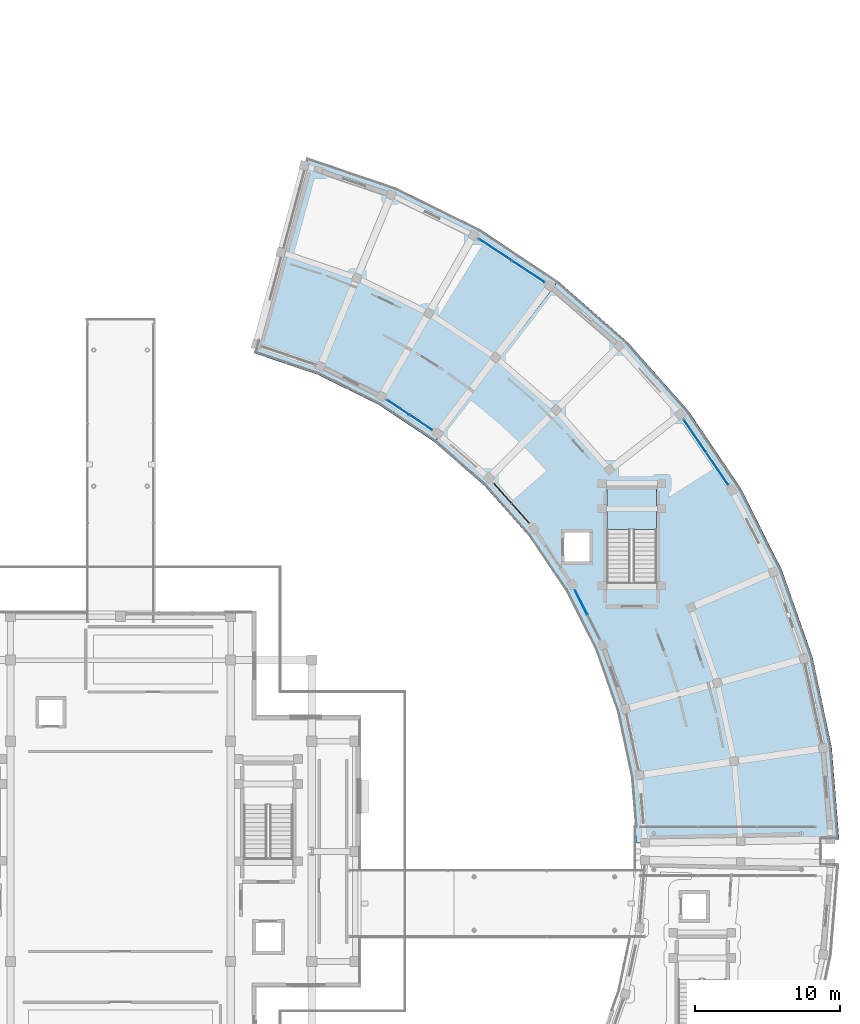
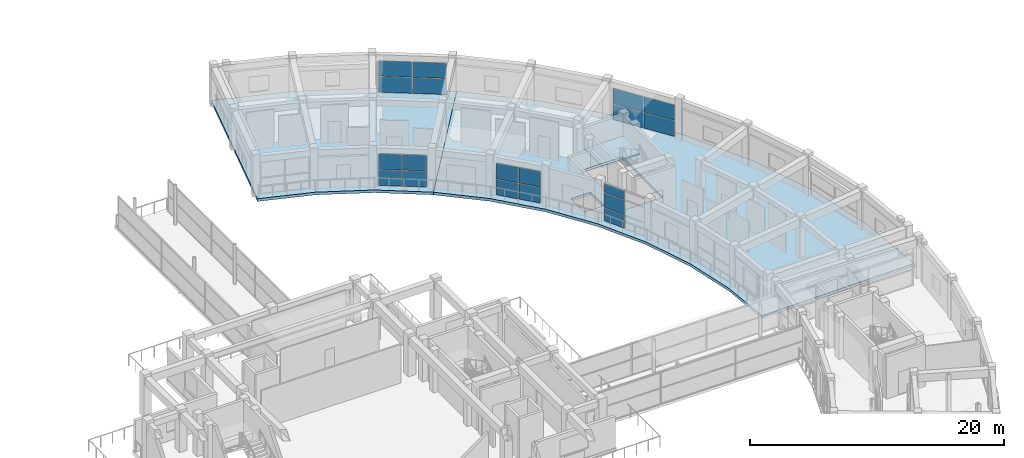
# One storey, part 31 of 53: 19 plates, 3 slabs, 6 elements without a shape of their own.
"""IFC4 building model written with IfcOpenShell, lengths in metres."""

from ifc_helpers import new_model, si_unit, direction, frame, origin, origin_2d, place, context, subcontext, project, spatial, polyline, rectangle, outline, extrude, material, layer, layer_set, type_object, element, aggregate, save


model = new_model("IFC4")

# Units and contexts
model_context = context("Model", 3, precision=1e-05, world=origin(), true_north=direction((0.0, 1.0)))
body_context = subcontext(model_context, "Body", "Model", "MODEL_VIEW")
ifc_project = project(units=[si_unit("LENGTHUNIT", "METRE"), si_unit("AREAUNIT", "SQUARE_METRE"), si_unit("VOLUMEUNIT", "CUBIC_METRE"), si_unit("PLANEANGLEUNIT", "RADIAN"), si_unit("MASSUNIT", "GRAM", prefix="KILO")], contexts=[model_context])

# Site, building, storey
site_placement = place(None, origin())
site = spatial("IfcSite", under=ifc_project, at=site_placement, CompositionType="ELEMENT")
building_placement = place(site_placement, origin())
building = spatial("IfcBuilding", under=site, at=building_placement, Name="Saryqyr Civic Hall", CompositionType="ELEMENT")
storey_placement = place(building_placement, frame((0.0, 0.0, 21.300048828125)))
storey = spatial("IfcBuildingStorey", under=building, at=storey_placement, Name="L05", CompositionType="ELEMENT", Elevation=21.300048828125)

# Curtain wall, plates
ifc_material_1 = material(Name="Anodised aluminium and triple low-E glass", Category="aluminium")
curtain_wall_type_1 = type_object("IfcCurtainWallType", Name="ENV-CW-STD-48", PredefinedType="NOTDEFINED", material=ifc_material_1)
curtain_wall_1_placement = place(storey_placement, origin())
curtain_wall_1 = element("IfcCurtainWall", 1, at=curtain_wall_1_placement, inside=storey, type_object=curtain_wall_type_1, Name="Curtain wall V6-CWI-L05-03", PredefinedType="NOTDEFINED")
ifc_material_2 = material(Name="Triple low-E insulated glazing", Category="glass")
ifc_layer_1 = layer(ifc_material_2, 0.053955078125, Name="Triple low-E insulated glazing")
ifc_layer_set_1 = layer_set([ifc_layer_1], Name="Triple low-E insulated glazing")
plate_type = type_object("IfcPlateType", Name="ENV-CW-PNL-38", PredefinedType="CURTAIN_PANEL", material=ifc_layer_set_1)
plate_1_placement = place(storey_placement, frame((88.78955078125, 101.18505859375, 0.06005859375), z_axis=(0.0, 0.0, 1.0), x_axis=(-0.451909750219, 0.892063662334, 0.0)))
plate_1 = element("IfcPlate", 2, at=plate_1_placement, type_object=plate_type, Name="CW-48 panel 2.1", PredefinedType="CURTAIN_PANEL", context=body_context, shape_type="SweptSolid", body=[
    extrude(rectangle(XDim=1.866455078125, YDim=0.053955078125, at=origin_2d()), origin(), (0.0, 0.0, 1.0), 1.241943359375),
])
plate_2_placement = place(storey_placement, frame((88.78955078125, 101.18505859375, 1.362060546875), z_axis=(0.0, 0.0, 1.0), x_axis=(-0.451909750219, 0.892063662334, 0.0)))
plate_2 = element("IfcPlate", 3, at=plate_2_placement, type_object=plate_type, Name="CW-48 panel 2.2", PredefinedType="CURTAIN_PANEL", context=body_context, shape_type="SweptSolid", body=[
    extrude(rectangle(XDim=1.866455078125, YDim=0.053955078125, at=origin_2d()), origin(), (0.0, 0.0, 1.0), 1.419921875),
])
plate_3_placement = place(storey_placement, frame((88.78955078125, 101.18505859375, 2.841796875), z_axis=(0.0, 0.0, 1.0), x_axis=(-0.451909750219, 0.892063662334, 0.0)))
plate_3 = element("IfcPlate", 4, at=plate_3_placement, type_object=plate_type, Name="CW-48 panel 2.3", PredefinedType="CURTAIN_PANEL", context=body_context, shape_type="SweptSolid", body=[
    extrude(rectangle(XDim=1.866455078125, YDim=0.053955078125, at=origin_2d()), origin(), (0.0, 0.0, 1.0), 0.798095703125),
])
aggregate(curtain_wall_1, [plate_1, plate_2, plate_3])

curtain_wall_type_2 = type_object("IfcCurtainWallType", Name="ENV-CW-STD-47", PredefinedType="NOTDEFINED", material=ifc_material_1)
curtain_wall_2_placement = place(storey_placement, origin())
curtain_wall_2 = element("IfcCurtainWall", 5, at=curtain_wall_2_placement, inside=storey, type_object=curtain_wall_type_2, Name="Curtain wall V6-CWO-L05-04", PredefinedType="NOTDEFINED")
plate_4_placement = place(storey_placement, frame((96.640869140625, 112.660888671875, 0.06005859375), z_axis=(0.0, 0.0, 1.0), x_axis=(0.563117564, -0.826376796089, 0.0)))
plate_4 = element("IfcPlate", 6, at=plate_4_placement, type_object=plate_type, Name="CW-47 panel 1.1", PredefinedType="CURTAIN_PANEL", context=body_context, shape_type="SweptSolid", body=[
    extrude(rectangle(XDim=2.662841796875, YDim=0.053955078125, at=origin_2d()), origin(), (0.0, 0.0, 1.0), 1.492919921875),
])
plate_5_placement = place(storey_placement, frame((96.640869140625, 112.660888671875, 1.61279296875), z_axis=(0.0, 0.0, 1.0), x_axis=(0.563117564, -0.826376796089, 0.0)))
plate_5 = element("IfcPlate", 7, at=plate_5_placement, type_object=plate_type, Name="CW-47 panel 1.2", PredefinedType="CURTAIN_PANEL", context=body_context, shape_type="SweptSolid", body=[
    extrude(rectangle(XDim=2.662841796875, YDim=0.053955078125, at=origin_2d()), origin(), (0.0, 0.0, 1.0), 1.491943359375),
])
plate_6_placement = place(storey_placement, frame((98.174072265625, 110.41064453125, 0.06005859375), z_axis=(0.0, 0.0, 1.0), x_axis=(0.563117564, -0.826376796089, 0.0)))
plate_6 = element("IfcPlate", 8, at=plate_6_placement, type_object=plate_type, Name="CW-47 panel 2.1", PredefinedType="CURTAIN_PANEL", context=body_context, shape_type="SweptSolid", body=[
    extrude(rectangle(XDim=2.662841796875, YDim=0.053955078125, at=origin_2d()), origin(), (0.0, 0.0, 1.0), 1.492919921875),
])
plate_7_placement = place(storey_placement, frame((98.174072265625, 110.41064453125, 1.61279296875), z_axis=(0.0, 0.0, 1.0), x_axis=(0.563117564, -0.826376796089, 0.0)))
plate_7 = element("IfcPlate", 9, at=plate_7_placement, type_object=plate_type, Name="CW-47 panel 2.2", PredefinedType="CURTAIN_PANEL", context=body_context, shape_type="SweptSolid", body=[
    extrude(rectangle(XDim=2.662841796875, YDim=0.053955078125, at=origin_2d()), origin(), (0.0, 0.0, 1.0), 1.491943359375),
])
aggregate(curtain_wall_2, [plate_4, plate_5, plate_6, plate_7])

curtain_wall_type_3 = type_object("IfcCurtainWallType", Name="ENV-CW-STD-27", PredefinedType="NOTDEFINED", material=ifc_material_1)
curtain_wall_3_placement = place(storey_placement, origin())
curtain_wall_3 = element("IfcCurtainWall", 10, at=curtain_wall_3_placement, inside=storey, type_object=curtain_wall_type_3, Name="Curtain wall V6-CWI-L05-05", PredefinedType="NOTDEFINED")
plate_8_placement = place(storey_placement, frame((84.59716796875, 107.32861328125, 0.06005859375), z_axis=(0.0, 0.0, 1.0), x_axis=(-0.664934070862, 0.7469020561, 0.0)))
plate_8 = element("IfcPlate", 11, at=plate_8_placement, type_object=plate_type, Name="CW-27 panel 1.1", PredefinedType="CURTAIN_PANEL", context=body_context, shape_type="SweptSolid", body=[
    extrude(rectangle(XDim=1.79248046875, YDim=0.053955078125, at=origin_2d()), origin(), (0.0, 0.0, 1.0), 1.492919921875),
])
plate_9_placement = place(storey_placement, frame((84.59716796875, 107.32861328125, 1.61279296875), z_axis=(0.0, 0.0, 1.0), x_axis=(-0.664934070862, 0.7469020561, 0.0)))
plate_9 = element("IfcPlate", 12, at=plate_9_placement, type_object=plate_type, Name="CW-27 panel 1.2", PredefinedType="CURTAIN_PANEL", context=body_context, shape_type="SweptSolid", body=[
    extrude(rectangle(XDim=1.79248046875, YDim=0.053955078125, at=origin_2d()), origin(), (0.0, 0.0, 1.0), 1.491943359375),
])
plate_10_placement = place(storey_placement, frame((83.365478515625, 108.71240234375, 0.06005859375), z_axis=(0.0, 0.0, 1.0), x_axis=(-0.664934070862, 0.7469020561, 0.0)))
plate_10 = element("IfcPlate", 13, at=plate_10_placement, type_object=plate_type, Name="CW-27 panel 2.1", PredefinedType="CURTAIN_PANEL", context=body_context, shape_type="SweptSolid", body=[
    extrude(rectangle(XDim=1.79248046875, YDim=0.053955078125, at=origin_2d()), origin(), (0.0, 0.0, 1.0), 1.492919921875),
])
plate_11_placement = place(storey_placement, frame((83.365478515625, 108.71240234375, 1.61279296875), z_axis=(0.0, 0.0, 1.0), x_axis=(-0.664934070862, 0.7469020561, 0.0)))
plate_11 = element("IfcPlate", 14, at=plate_11_placement, type_object=plate_type, Name="CW-27 panel 2.2", PredefinedType="CURTAIN_PANEL", context=body_context, shape_type="SweptSolid", body=[
    extrude(rectangle(XDim=1.79248046875, YDim=0.053955078125, at=origin_2d()), origin(), (0.0, 0.0, 1.0), 1.491943359375),
])
aggregate(curtain_wall_3, [plate_8, plate_9, plate_10, plate_11])

curtain_wall_4_placement = place(storey_placement, origin())
curtain_wall_4 = element("IfcCurtainWall", 15, at=curtain_wall_4_placement, inside=storey, type_object=curtain_wall_type_2, Name="Curtain wall V6-CWO-L05-07", PredefinedType="NOTDEFINED")
plate_12_placement = place(storey_placement, frame((82.86083984375, 125.52197265625, 0.06005859375), z_axis=(0.0, 0.0, 1.0), x_axis=(0.833756980548, -0.552131594266, 0.0)))
plate_12 = element("IfcPlate", 16, at=plate_12_placement, type_object=plate_type, Name="CW-47 panel 1.1", PredefinedType="CURTAIN_PANEL", context=body_context, shape_type="SweptSolid", body=[
    extrude(rectangle(XDim=2.66650390625, YDim=0.053955078125, at=origin_2d()), origin(), (0.0, 0.0, 1.0), 1.492919921875),
])
plate_13_placement = place(storey_placement, frame((82.86083984375, 125.52197265625, 1.61279296875), z_axis=(0.0, 0.0, 1.0), x_axis=(0.833756980548, -0.552131594266, 0.0)))
plate_13 = element("IfcPlate", 17, at=plate_13_placement, type_object=plate_type, Name="CW-47 panel 1.2", PredefinedType="CURTAIN_PANEL", context=body_context, shape_type="SweptSolid", body=[
    extrude(rectangle(XDim=2.66650390625, YDim=0.053955078125, at=origin_2d()), origin(), (0.0, 0.0, 1.0), 1.491943359375),
])
plate_14_placement = place(storey_placement, frame((85.134033203125, 124.0166015625, 0.06005859375), z_axis=(0.0, 0.0, 1.0), x_axis=(0.833756980548, -0.552131594266, 0.0)))
plate_14 = element("IfcPlate", 18, at=plate_14_placement, type_object=plate_type, Name="CW-47 panel 2.1", PredefinedType="CURTAIN_PANEL", context=body_context, shape_type="SweptSolid", body=[
    extrude(rectangle(XDim=2.66650390625, YDim=0.053955078125, at=origin_2d()), origin(), (0.0, 0.0, 1.0), 1.492919921875),
])
plate_15_placement = place(storey_placement, frame((85.134033203125, 124.0166015625, 1.61279296875), z_axis=(0.0, 0.0, 1.0), x_axis=(0.833756980548, -0.552131594266, 0.0)))
plate_15 = element("IfcPlate", 19, at=plate_15_placement, type_object=plate_type, Name="CW-47 panel 2.2", PredefinedType="CURTAIN_PANEL", context=body_context, shape_type="SweptSolid", body=[
    extrude(rectangle(XDim=2.66650390625, YDim=0.053955078125, at=origin_2d()), origin(), (0.0, 0.0, 1.0), 1.491943359375),
])
aggregate(curtain_wall_4, [plate_12, plate_13, plate_14, plate_15])

curtain_wall_type_4 = type_object("IfcCurtainWallType", Name="ENV-CW-STD-25", PredefinedType="NOTDEFINED", material=ifc_material_1)
curtain_wall_5_placement = place(storey_placement, origin())
curtain_wall_5 = element("IfcCurtainWall", 20, at=curtain_wall_5_placement, inside=storey, type_object=curtain_wall_type_4, Name="Curtain wall V6-CWI-L05-07", PredefinedType="NOTDEFINED")
plate_16_placement = place(storey_placement, frame((77.737060546875, 113.594970703125, 0.06005859375), z_axis=(0.0, 0.0, 1.0), x_axis=(-0.833756291383, 0.552132634953, 0.0)))
plate_16 = element("IfcPlate", 21, at=plate_16_placement, type_object=plate_type, Name="CW-25 panel 1.1", PredefinedType="CURTAIN_PANEL", context=body_context, shape_type="SweptSolid", body=[
    extrude(rectangle(XDim=1.83984375, YDim=0.053955078125, at=origin_2d()), origin(), (0.0, 0.0, 1.0), 1.492919921875),
])
plate_17_placement = place(storey_placement, frame((77.737060546875, 113.594970703125, 1.61279296875), z_axis=(0.0, 0.0, 1.0), x_axis=(-0.833756291383, 0.552132634953, 0.0)))
plate_17 = element("IfcPlate", 22, at=plate_17_placement, type_object=plate_type, Name="CW-25 panel 1.2", PredefinedType="CURTAIN_PANEL", context=body_context, shape_type="SweptSolid", body=[
    extrude(rectangle(XDim=1.83984375, YDim=0.053955078125, at=origin_2d()), origin(), (0.0, 0.0, 1.0), 1.491943359375),
])
plate_18_placement = place(storey_placement, frame((76.15283203125, 114.643798828125, 0.06005859375), z_axis=(0.0, 0.0, 1.0), x_axis=(-0.833756291383, 0.552132634953, 0.0)))
plate_18 = element("IfcPlate", 23, at=plate_18_placement, type_object=plate_type, Name="CW-25 panel 2.1", PredefinedType="CURTAIN_PANEL", context=body_context, shape_type="SweptSolid", body=[
    extrude(rectangle(XDim=1.83984375, YDim=0.053955078125, at=origin_2d()), origin(), (0.0, 0.0, 1.0), 1.492919921875),
])
plate_19_placement = place(storey_placement, frame((76.15283203125, 114.643798828125, 1.61279296875), z_axis=(0.0, 0.0, 1.0), x_axis=(-0.833756291383, 0.552132634953, 0.0)))
plate_19 = element("IfcPlate", 24, at=plate_19_placement, type_object=plate_type, Name="CW-25 panel 2.2", PredefinedType="CURTAIN_PANEL", context=body_context, shape_type="SweptSolid", body=[
    extrude(rectangle(XDim=1.83984375, YDim=0.053955078125, at=origin_2d()), origin(), (0.0, 0.0, 1.0), 1.491943359375),
])
aggregate(curtain_wall_5, [plate_16, plate_17, plate_18, plate_19])

# Slabs
ifc_material_3 = material(Name="Concrete C35/45", Category="concrete")
ifc_layer_2 = layer(ifc_material_3, 0.260009765625, Name="Concrete C35/45")
ifc_layer_set_2 = layer_set([ifc_layer_2], Name="Concrete C35/45")
slab_type_1 = type_object("IfcSlabType", Name="STR-SLB-FLR-260", PredefinedType="FLOOR", material=ifc_layer_set_2)
slab_1_placement = place(storey_placement, frame((0.0, 0.0, -0.260009765625)))
element("IfcSlab", 25, at=slab_1_placement, inside=storey, type_object=slab_type_1, Name="Slab SLB-V6A-L05", PredefinedType="FLOOR", context=body_context, shape_type="SweptSolid", body=[
    extrude(outline(polyline([(92.225830078125, 89.14794921875), (91.275390625, 93.62060546875), (89.759521484375, 97.9345703125), (87.703125, 102.0185546875), (85.140380859375, 105.805419921875), (82.11328125, 109.232666015625), (78.671875, 112.243408203125), (87.194580078125, 123.350341796875), (91.9892578125, 119.155517578125), (96.206787109375, 114.380615234375), (99.777587890625, 109.1044921875), (102.642578125, 103.414306640625), (104.75439453125, 97.40380859375), (106.07861328125, 91.17236328125), (106.59326171875, 84.822509765625), (92.59521484375, 84.590087890625), (92.225830078125, 89.14794921875)]), holes=[polyline([(89.39990234375, 103.949951171875), (89.39990234375, 106.050048828125), (87.60009765625, 106.050048828125), (87.60009765625, 103.949951171875), (89.39990234375, 103.949951171875)]), polyline([(94.0, 109.0), (90.56005859375, 109.0), (90.56005859375, 102.6201171875), (94.0, 102.6201171875), (94.0, 109.0)])]), origin(), (0.0, 0.0, 1.0), 0.260009765625),
])
slab_2_placement = place(storey_placement, frame((0.0, 0.0, -0.260009765625)))
element("IfcSlab", 26, at=slab_2_placement, inside=storey, type_object=slab_type_1, Name="Slab SLB-V6B-L05", PredefinedType="FLOOR", context=body_context, shape_type="SweptSolid", body=[
    extrude(outline(polyline([(74.800048828125, 114.83056640625), (70.62353515625, 116.89013671875), (66.214111328125, 118.386962890625), (69.83740234375, 131.909912109375), (75.981201171875, 129.824462890625), (81.800048828125, 126.954833984375), (87.194580078125, 123.350341796875), (78.671875, 112.243408203125), (74.800048828125, 114.83056640625)])), origin(), (0.0, 0.0, 1.0), 0.260009765625),
])

# Stair, slab
stair_type = type_object("IfcStairType", Name="INT-STR-ST-6", PredefinedType="HALF_TURN_STAIR", material=ifc_material_3)
stair_placement = place(storey_placement, origin())
stair = element("IfcStair", 27, at=stair_placement, inside=storey, type_object=stair_type, Name="L05 Protected Exit Stair ST-6", PredefinedType="HALF_TURN_STAIR")
ifc_layer_3 = layer(ifc_material_3, 0.199951171875, Name="Concrete C35/45")
ifc_layer_set_3 = layer_set([ifc_layer_3], Name="Concrete C35/45")
slab_type_2 = type_object("IfcSlabType", Name="STR-SLB-LND-200", PredefinedType="LANDING", material=ifc_layer_set_3)
slab_3_placement = place(storey_placement, frame((0.0, 0.0, 1.824951171875)))
slab_3 = element("IfcSlab", 28, at=slab_3_placement, type_object=slab_type_2, Name="ST-6 landing 1", PredefinedType="LANDING", context=body_context, shape_type="SweptSolid", body=[
    extrude(outline(polyline([(94.0, 106.219970703125), (94.0, 109.0), (90.56005859375, 109.0), (90.56005859375, 106.219970703125), (94.0, 106.219970703125)])), origin(), (0.0, 0.0, 1.0), 0.199951171875),
])
aggregate(stair, [slab_3])

save(model, "model.ifc")
